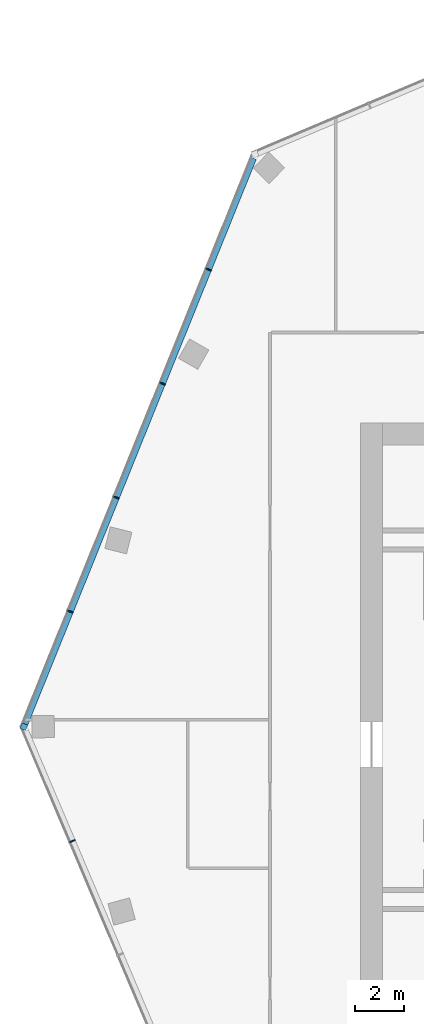
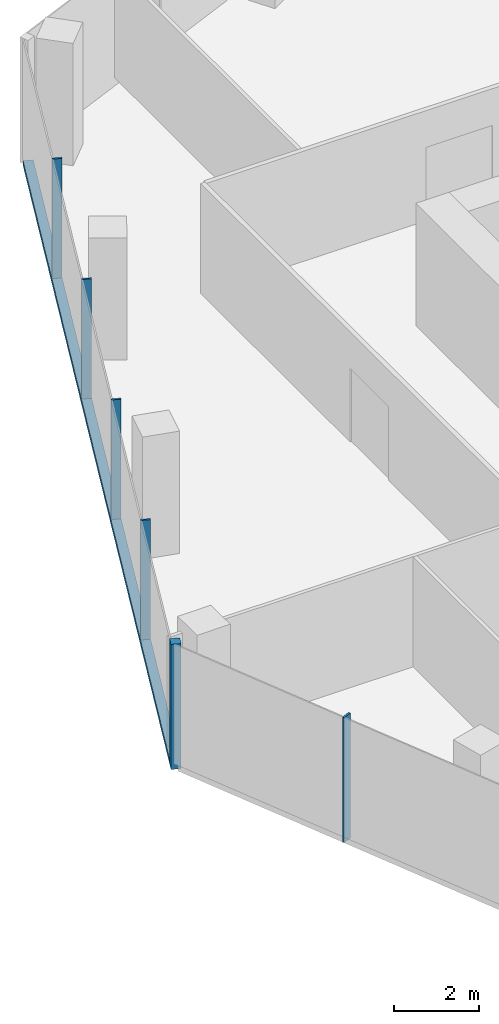
# One storey, part 6 of 17: 7 members, 2 elements without a shape of their own.
"""IFC4 building model written with IfcOpenShell, lengths in metres."""

from ifc_helpers import new_model, si_unit, direction, frame, origin, origin_2d, place, context, subcontext, project, spatial, rectangle, extrude, material, material_profile, profile_set, type_object, element, aggregate, save


model = new_model("IFC4")

# Units and contexts
model_context = context("Model", 3, precision=1e-05, world=origin(), true_north=direction((0.0, 1.0)))
body_context = subcontext(model_context, "Body", "Model", "MODEL_VIEW")
ifc_project = project(units=[si_unit("LENGTHUNIT", "METRE"), si_unit("AREAUNIT", "SQUARE_METRE"), si_unit("VOLUMEUNIT", "CUBIC_METRE"), si_unit("PLANEANGLEUNIT", "RADIAN"), si_unit("MASSUNIT", "GRAM", prefix="KILO")], contexts=[model_context])

# Site, building, storey
site_placement = place(None, origin())
site = spatial("IfcSite", under=ifc_project, at=site_placement, CompositionType="ELEMENT")
building_placement = place(site_placement, origin())
building = spatial("IfcBuilding", under=site, at=building_placement, Name="Orlundy Tower", CompositionType="ELEMENT")
storey_placement = place(building_placement, frame((0.0, 0.0, 289.39990234375)))
storey = spatial("IfcBuildingStorey", under=building, at=storey_placement, Name="L77", CompositionType="ELEMENT", Elevation=289.39990234375)

# Curtain wall, member
ifc_material_1 = material(Name="Aluminium bronze anodised", Category="aluminium")
curtain_wall_type = type_object("IfcCurtainWallType", Name="CW6 wall", PredefinedType="NOTDEFINED", material=ifc_material_1)
curtain_wall_1_placement = place(storey_placement, origin())
curtain_wall_1 = element("IfcCurtainWall", 1, at=curtain_wall_1_placement, inside=storey, type_object=curtain_wall_type, Name="CW6 run 03", PredefinedType="NOTDEFINED")
ifc_material_2 = material(Name="Aluminium bronze anodised", Category="aluminium")
ifc_material_profile_1 = material_profile(ifc_material_2, rectangle(XDim=0.239990234375, YDim=0.239990234375, at=origin_2d()), Name="CW6 corner post 240x240")
ifc_profile_set_1 = profile_set([ifc_material_profile_1], Name="Aluminium bronze anodised")
member_type_1 = type_object("IfcMemberType", Name="CW6 corner post 240x240", PredefinedType="MULLION", material=ifc_profile_set_1)
member_1_placement = place(storey_placement, frame((-32.600830078125, -0.2841796875, -0.39990234375), z_axis=(0.0, 0.0, 1.0), x_axis=(-0.927183523653, 0.374607412456, 0.0)))
member_1 = element("IfcMember", 2, at=member_1_placement, type_object=member_type_1, Name="CW6 mullion 10", PredefinedType="MULLION", context=body_context, shape_type="SweptSolid", body=[
    extrude(rectangle(XDim=0.239990234375, YDim=0.239990234375, at=origin_2d()), origin(), (0.0, 0.0, 1.0), 3.580078125),
])

curtain_wall_2_placement = place(storey_placement, origin())
curtain_wall_2 = element("IfcCurtainWall", 3, at=curtain_wall_2_placement, inside=storey, type_object=curtain_wall_type, Name="CW6 run 02", PredefinedType="NOTDEFINED")
ifc_material_3 = material(Name="Aluminium bronze anodised", Category="aluminium")
ifc_material_profile_2 = material_profile(ifc_material_3, rectangle(XDim=0.239990234375, YDim=0.050048828125, at=origin_2d()), Name="CW6 mullion 50x240")
ifc_profile_set_2 = profile_set([ifc_material_profile_2], Name="Aluminium bronze anodised")
member_type_2 = type_object("IfcMemberType", Name="CW6 mullion 50x240", PredefinedType="MULLION", material=ifc_profile_set_2)
member_2_placement = place(storey_placement, frame((-30.63916015625, -4.905517578125, -0.39990234375), z_axis=(0.0, 0.0, 1.0), x_axis=(-0.920506804854, -0.390726531244, 0.0)))
member_2 = element("IfcMember", 4, at=member_2_placement, type_object=member_type_2, Name="CW6 mullion 9", PredefinedType="MULLION", context=body_context, shape_type="SweptSolid", body=[
    extrude(rectangle(XDim=0.239990234375, YDim=0.050048828125, at=origin_2d()), origin(), (0.0, 0.0, 1.0), 3.580078125),
])
aggregate(curtain_wall_2, [member_2])

# Member
member_3_placement = place(storey_placement, frame((-30.72021484375, 4.37060546875, -0.39990234375), z_axis=(0.0, 0.0, 1.0), x_axis=(-0.927183523653, 0.374607412456, 0.0)))
member_3 = element("IfcMember", 5, at=member_3_placement, type_object=member_type_2, Name="CW6 mullion 11", PredefinedType="MULLION", context=body_context, shape_type="SweptSolid", body=[
    extrude(rectangle(XDim=0.239990234375, YDim=0.050048828125, at=origin_2d()), origin(), (0.0, 0.0, 1.0), 3.580078125),
])

member_4_placement = place(storey_placement, frame((-28.858154296875, 8.979248046875, -0.39990234375), z_axis=(0.0, 0.0, 1.0), x_axis=(-0.927183523653, 0.374607412456, 0.0)))
member_4 = element("IfcMember", 6, at=member_4_placement, type_object=member_type_2, Name="CW6 mullion 12", PredefinedType="MULLION", context=body_context, shape_type="SweptSolid", body=[
    extrude(rectangle(XDim=0.239990234375, YDim=0.050048828125, at=origin_2d()), origin(), (0.0, 0.0, 1.0), 3.580078125),
])

member_5_placement = place(storey_placement, frame((-26.996337890625, 13.587646484375, -0.39990234375), z_axis=(0.0, 0.0, 1.0), x_axis=(-0.927183523653, 0.374607412456, 0.0)))
member_5 = element("IfcMember", 7, at=member_5_placement, type_object=member_type_2, Name="CW6 mullion 13", PredefinedType="MULLION", context=body_context, shape_type="SweptSolid", body=[
    extrude(rectangle(XDim=0.239990234375, YDim=0.050048828125, at=origin_2d()), origin(), (0.0, 0.0, 1.0), 3.580078125),
])

member_6_placement = place(storey_placement, frame((-25.13427734375, 18.1962890625, -0.39990234375), z_axis=(0.0, 0.0, 1.0), x_axis=(-0.927183523653, 0.374607412456, 0.0)))
member_6 = element("IfcMember", 8, at=member_6_placement, type_object=member_type_2, Name="CW6 mullion 14", PredefinedType="MULLION", context=body_context, shape_type="SweptSolid", body=[
    extrude(rectangle(XDim=0.239990234375, YDim=0.050048828125, at=origin_2d()), origin(), (0.0, 0.0, 1.0), 3.580078125),
])

ifc_material_4 = material(Name="Aluminium bronze anodised", Category="aluminium")
ifc_material_profile_3 = material_profile(ifc_material_4, rectangle(XDim=0.239990234375, YDim=0.159912109375, at=origin_2d()), Name="CW6 transom 240x160")
ifc_profile_set_3 = profile_set([ifc_material_profile_3], Name="Aluminium bronze anodised")
member_type_3 = type_object("IfcMemberType", Name="CW6 transom 240x160", PredefinedType="USERDEFINED", material=ifc_profile_set_3)
member_7_placement = place(storey_placement, frame((-32.555908203125, -0.1728515625, -0.31982421875), z_axis=(0.374610845619, 0.927182136554, 0.0), x_axis=(-0.927182136554, 0.374610845619, 0.0)))
member_7 = element("IfcMember", 9, at=member_7_placement, type_object=member_type_3, Name="CW6 transom", ObjectType="TRANSOM", PredefinedType="USERDEFINED", context=body_context, shape_type="SweptSolid", body=[
    extrude(rectangle(XDim=0.239990234375, YDim=0.159912109375, at=origin_2d()), origin(), (0.0, 0.0, 1.0), 24.662353515625),
])

aggregate(curtain_wall_1, [member_1, member_3, member_4, member_5, member_6, member_7])

save(model, "model.ifc")
